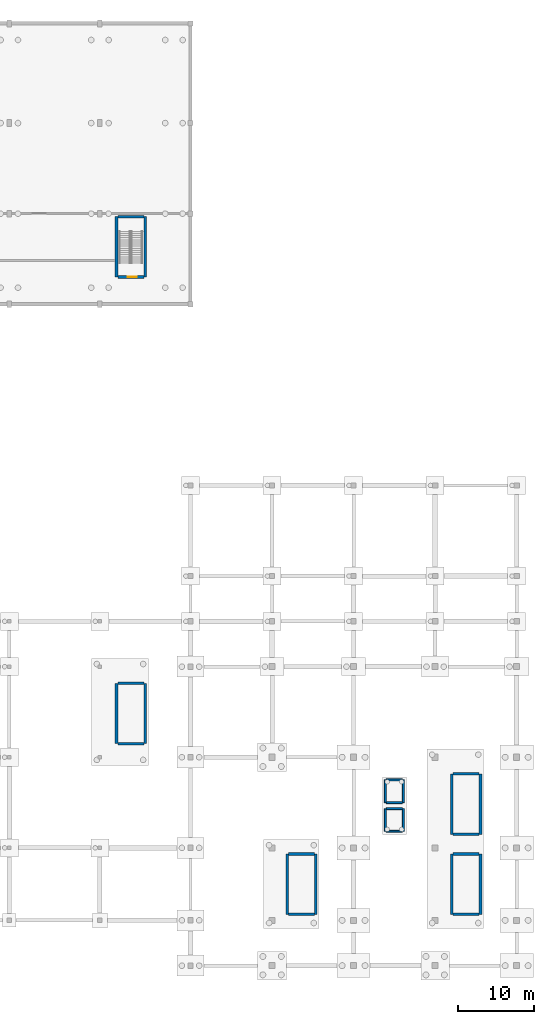
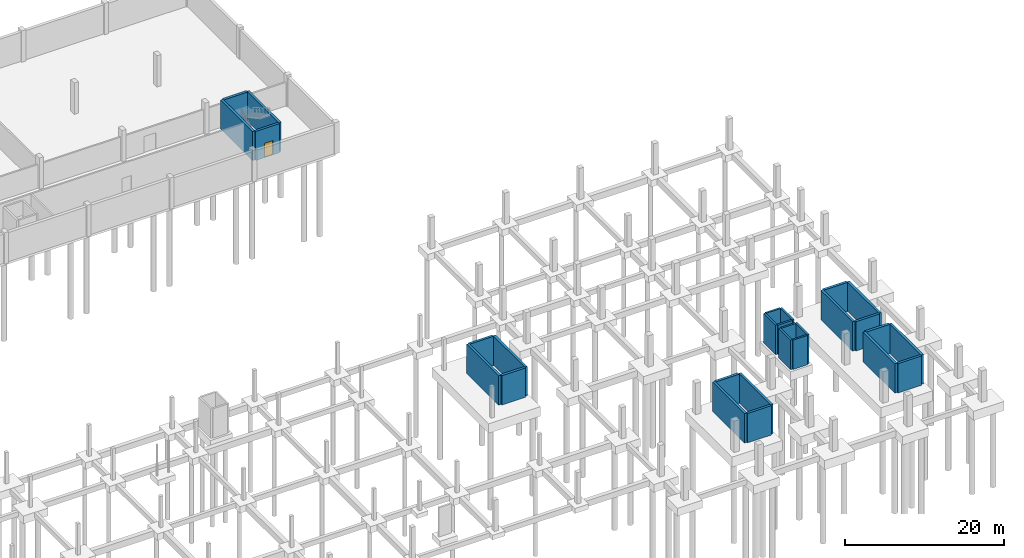
# One storey, part 27 of 31: 28 walls, 1 door, 1 opening.
"""IFC4 building model written with IfcOpenShell, lengths in metres."""

from ifc_helpers import new_model, si_unit, direction, frame, frame_2d, origin, place, context, subcontext, project, spatial, rectangle, extrude, material, layer, layer_set, type_object, element, fill, save


model = new_model("IFC4")

# Units and contexts
model_context = context("Model", 3, precision=1e-05, world=origin(), true_north=direction((0.0, 1.0)))
body_context = subcontext(model_context, "Body", "Model", "MODEL_VIEW")
ifc_project = project(units=[si_unit("LENGTHUNIT", "METRE"), si_unit("AREAUNIT", "SQUARE_METRE"), si_unit("VOLUMEUNIT", "CUBIC_METRE"), si_unit("PLANEANGLEUNIT", "RADIAN"), si_unit("MASSUNIT", "GRAM", prefix="KILO")], contexts=[model_context])

# Site, building, storey
site_placement = place(None, origin())
site = spatial("IfcSite", under=ifc_project, at=site_placement, CompositionType="ELEMENT")
building_placement = place(site_placement, origin())
building = spatial("IfcBuilding", under=site, at=building_placement, Name="Merenkruunu Market Hall", CompositionType="ELEMENT")
storey_placement = place(building_placement, frame((0.0, 0.0, -4.800048828125)))
storey = spatial("IfcBuildingStorey", under=building, at=storey_placement, Name="B1", CompositionType="ELEMENT", Elevation=-4.800048828125)

# Walls
ifc_material_1 = material(Name="Concrete C35/45", Category="concrete")
ifc_layer_1 = layer(ifc_material_1, 0.360107421875)
ifc_layer_set_1 = layer_set([ifc_layer_1], Name="Concrete C35/45")
wall_type_1 = type_object("IfcWallType", Name="Structural Shear Wall SW01", PredefinedType="SHEAR", material=ifc_layer_set_1)
wall_1_placement = place(storey_placement, frame((187.02001953125, 6.800048828125, 0.0), z_axis=(0.0, 0.0, 1.0), x_axis=(-1.0, 0.0, 0.0)))
element("IfcWall", 1, at=wall_1_placement, inside=storey, type_object=wall_type_1, Name="WALL-CORE-K5-B1-S", PredefinedType="SHEAR", context=body_context, shape_type="SweptSolid", body=[
    extrude(rectangle(XDim=3.43994140625, YDim=0.360107421875, at=frame_2d((1.719970703125, 0.0))), origin(), (0.0, 0.0, 1.0), 4.5),
])
wall_2_placement = place(storey_placement, frame((187.199951171875, 6.800048828125, 0.0), z_axis=(0.0, 0.0, 1.0), x_axis=(0.0, 1.0, 0.0)))
element("IfcWall", 2, at=wall_2_placement, inside=storey, type_object=wall_type_1, Name="WALL-CORE-K5-B1-E", PredefinedType="SHEAR", context=body_context, shape_type="SweptSolid", body=[
    extrude(rectangle(XDim=8.0, YDim=0.360107421875, at=frame_2d((4.0, 0.0))), origin(), (0.0, 0.0, 1.0), 4.5),
])
wall_3_placement = place(storey_placement, frame((187.02001953125, 14.800048828125, 0.0), z_axis=(0.0, 0.0, 1.0), x_axis=(-1.0, 0.0, 0.0)))
element("IfcWall", 3, at=wall_3_placement, inside=storey, type_object=wall_type_1, Name="WALL-CORE-K5-B1-N", PredefinedType="SHEAR", context=body_context, shape_type="SweptSolid", body=[
    extrude(rectangle(XDim=3.43994140625, YDim=0.360107421875, at=frame_2d((1.719970703125, 0.0))), origin(), (0.0, 0.0, 1.0), 4.5),
])
wall_4_placement = place(storey_placement, frame((183.39990234375, 14.800048828125, 0.0), z_axis=(0.0, 0.0, 1.0), x_axis=(0.0, -1.0, 0.0)))
element("IfcWall", 4, at=wall_4_placement, inside=storey, type_object=wall_type_1, Name="WALL-CORE-K5-B1-W", PredefinedType="SHEAR", context=body_context, shape_type="SweptSolid", body=[
    extrude(rectangle(XDim=8.0, YDim=0.360107421875, at=frame_2d((4.0, 0.0))), origin(), (0.0, 0.0, 1.0), 4.5),
])
wall_5_placement = place(storey_placement, frame((187.02001953125, 17.39990234375, 0.0), z_axis=(0.0, 0.0, 1.0), x_axis=(-1.0, 0.0, 0.0)))
element("IfcWall", 5, at=wall_5_placement, inside=storey, type_object=wall_type_1, Name="WALL-CORE-K6-B1-S", PredefinedType="SHEAR", context=body_context, shape_type="SweptSolid", body=[
    extrude(rectangle(XDim=3.43994140625, YDim=0.360107421875, at=frame_2d((1.719970703125, 0.0))), origin(), (0.0, 0.0, 1.0), 4.5),
])
wall_6_placement = place(storey_placement, frame((187.199951171875, 17.39990234375, 0.0), z_axis=(0.0, 0.0, 1.0), x_axis=(0.0, 1.0, 0.0)))
element("IfcWall", 6, at=wall_6_placement, inside=storey, type_object=wall_type_1, Name="WALL-CORE-K6-B1-E", PredefinedType="SHEAR", context=body_context, shape_type="SweptSolid", body=[
    extrude(rectangle(XDim=8.0, YDim=0.360107421875, at=frame_2d((4.0, 0.0))), origin(), (0.0, 0.0, 1.0), 4.5),
])
wall_7_placement = place(storey_placement, frame((187.02001953125, 25.39990234375, 0.0), z_axis=(0.0, 0.0, 1.0), x_axis=(-1.0, 0.0, 0.0)))
element("IfcWall", 7, at=wall_7_placement, inside=storey, type_object=wall_type_1, Name="WALL-CORE-K6-B1-N", PredefinedType="SHEAR", context=body_context, shape_type="SweptSolid", body=[
    extrude(rectangle(XDim=3.43994140625, YDim=0.360107421875, at=frame_2d((1.719970703125, 0.0))), origin(), (0.0, 0.0, 1.0), 4.5),
])
wall_8_placement = place(storey_placement, frame((183.39990234375, 25.39990234375, 0.0), z_axis=(0.0, 0.0, 1.0), x_axis=(0.0, -1.0, 0.0)))
element("IfcWall", 8, at=wall_8_placement, inside=storey, type_object=wall_type_1, Name="WALL-CORE-K6-B1-W", PredefinedType="SHEAR", context=body_context, shape_type="SweptSolid", body=[
    extrude(rectangle(XDim=8.0, YDim=0.360107421875, at=frame_2d((4.0, 0.0))), origin(), (0.0, 0.0, 1.0), 4.5),
])

# Wall, opening, door
wall_9_placement = place(storey_placement, frame((142.6201171875, 91.199951171875, 0.0), z_axis=(0.0, 0.0, 1.0), x_axis=(-1.0, 0.0, 0.0)))
wall_9 = element("IfcWall", 9, at=wall_9_placement, inside=storey, type_object=wall_type_1, Name="WALL-CORE-K7-B1-S", PredefinedType="SHEAR", context=body_context, shape_type="SweptSolid", body=[
    extrude(rectangle(XDim=3.440185546875, YDim=0.360107421875, at=frame_2d((1.72021484375, 0.0))), origin(), (0.0, 0.0, 1.0), 4.4599609375),
])
opening_placement = place(wall_9_placement, frame((0.949951171875, 0.0, 0.0)))
opening = element("IfcOpeningElement", 10, at=opening_placement, cuts=wall_9, Name="Opening FD03", PredefinedType="OPENING", context=body_context, shape_type="SweptSolid", body=[
    extrude(rectangle(XDim=1.199951171875, YDim=2.199951171875, at=frame_2d((0.60009765625, 1.10009765625))), frame((0.0, 0.18994140625, 0.0), z_axis=(0.0, -1.0, 0.0), x_axis=(1.0, 0.0, 0.0)), (0.0, 0.0, 1.0), 0.380126953125),
])
ifc_material_2 = material(Name="Powder-coated aluminium", Category="aluminium")
door_type = type_object("IfcDoorType", Name="Fire Compartment Door FD03", OperationType="NOTDEFINED", PredefinedType="DOOR", material=ifc_material_2)
door_placement = place(opening_placement, origin())
door = element("IfcDoor", 11, at=door_placement, inside=storey, type_object=door_type, Name="DR-B1-121", OperationType="SINGLE_SWING_LEFT", OverallHeight=2.199951171875, OverallWidth=1.199951171875, PredefinedType="DOOR", context=body_context, shape_type="SweptSolid", body=[
    extrude(rectangle(XDim=1.199951171875, YDim=2.199951171875, at=frame_2d((0.60009765625, 1.10009765625))), frame((0.0, 0.02490234375, 0.0), z_axis=(0.0, -1.0, 0.0), x_axis=(1.0, 0.0, 0.0)), (0.0, 0.0, 1.0), 0.050048828125),
])
fill(opening, door)

# Walls
wall_10_placement = place(storey_placement, frame((142.800048828125, 91.199951171875, 0.0), z_axis=(0.0, 0.0, 1.0), x_axis=(0.0, 1.0, 0.0)))
element("IfcWall", 12, at=wall_10_placement, inside=storey, type_object=wall_type_1, Name="WALL-CORE-K7-B1-E", PredefinedType="SHEAR", context=body_context, shape_type="SweptSolid", body=[
    extrude(rectangle(XDim=8.0, YDim=0.360107421875, at=frame_2d((4.0, 0.0))), origin(), (0.0, 0.0, 1.0), 4.4599609375),
])
wall_11_placement = place(storey_placement, frame((142.6201171875, 99.199951171875, 0.0), z_axis=(0.0, 0.0, 1.0), x_axis=(-1.0, 0.0, 0.0)))
element("IfcWall", 13, at=wall_11_placement, inside=storey, type_object=wall_type_1, Name="WALL-CORE-K7-B1-N", PredefinedType="SHEAR", context=body_context, shape_type="SweptSolid", body=[
    extrude(rectangle(XDim=3.440185546875, YDim=0.360107421875, at=frame_2d((1.72021484375, 0.0))), origin(), (0.0, 0.0, 1.0), 4.4599609375),
])
wall_12_placement = place(storey_placement, frame((139.0, 99.199951171875, 0.0), z_axis=(0.0, 0.0, 1.0), x_axis=(0.0, -1.0, 0.0)))
element("IfcWall", 14, at=wall_12_placement, inside=storey, type_object=wall_type_1, Name="WALL-CORE-K7-B1-W", PredefinedType="SHEAR", context=body_context, shape_type="SweptSolid", body=[
    extrude(rectangle(XDim=8.0, YDim=0.360107421875, at=frame_2d((4.0, 0.0))), origin(), (0.0, 0.0, 1.0), 4.4599609375),
])
wall_13_placement = place(storey_placement, frame((142.6201171875, 29.39990234375, 0.0), z_axis=(0.0, 0.0, 1.0), x_axis=(-1.0, 0.0, 0.0)))
element("IfcWall", 15, at=wall_13_placement, inside=storey, type_object=wall_type_1, Name="WALL-CORE-K8-B1-S", PredefinedType="SHEAR", context=body_context, shape_type="SweptSolid", body=[
    extrude(rectangle(XDim=3.440185546875, YDim=0.360107421875, at=frame_2d((1.72021484375, 0.0))), origin(), (0.0, 0.0, 1.0), 4.5),
])
wall_14_placement = place(storey_placement, frame((142.800048828125, 29.39990234375, 0.0), z_axis=(0.0, 0.0, 1.0), x_axis=(0.0, 1.0, 0.0)))
element("IfcWall", 16, at=wall_14_placement, inside=storey, type_object=wall_type_1, Name="WALL-CORE-K8-B1-E", PredefinedType="SHEAR", context=body_context, shape_type="SweptSolid", body=[
    extrude(rectangle(XDim=8.0, YDim=0.360107421875, at=frame_2d((4.0, 0.0))), origin(), (0.0, 0.0, 1.0), 4.5),
])
wall_15_placement = place(storey_placement, frame((142.6201171875, 37.39990234375, 0.0), z_axis=(0.0, 0.0, 1.0), x_axis=(-1.0, 0.0, 0.0)))
element("IfcWall", 17, at=wall_15_placement, inside=storey, type_object=wall_type_1, Name="WALL-CORE-K8-B1-N", PredefinedType="SHEAR", context=body_context, shape_type="SweptSolid", body=[
    extrude(rectangle(XDim=3.440185546875, YDim=0.360107421875, at=frame_2d((1.72021484375, 0.0))), origin(), (0.0, 0.0, 1.0), 4.5),
])
wall_16_placement = place(storey_placement, frame((139.0, 37.39990234375, 0.0), z_axis=(0.0, 0.0, 1.0), x_axis=(0.0, -1.0, 0.0)))
element("IfcWall", 18, at=wall_16_placement, inside=storey, type_object=wall_type_1, Name="WALL-CORE-K8-B1-W", PredefinedType="SHEAR", context=body_context, shape_type="SweptSolid", body=[
    extrude(rectangle(XDim=8.0, YDim=0.360107421875, at=frame_2d((4.0, 0.0))), origin(), (0.0, 0.0, 1.0), 4.5),
])
wall_17_placement = place(storey_placement, frame((165.219970703125, 6.800048828125, 0.0), z_axis=(0.0, 0.0, 1.0), x_axis=(-1.0, 0.0, 0.0)))
element("IfcWall", 19, at=wall_17_placement, inside=storey, type_object=wall_type_1, Name="WALL-CORE-K9-B1-S", PredefinedType="SHEAR", context=body_context, shape_type="SweptSolid", body=[
    extrude(rectangle(XDim=3.43994140625, YDim=0.360107421875, at=frame_2d((1.719970703125, 0.0))), origin(), (0.0, 0.0, 1.0), 4.5),
])
wall_18_placement = place(storey_placement, frame((165.39990234375, 6.800048828125, 0.0), z_axis=(0.0, 0.0, 1.0), x_axis=(0.0, 1.0, 0.0)))
element("IfcWall", 20, at=wall_18_placement, inside=storey, type_object=wall_type_1, Name="WALL-CORE-K9-B1-E", PredefinedType="SHEAR", context=body_context, shape_type="SweptSolid", body=[
    extrude(rectangle(XDim=8.0, YDim=0.360107421875, at=frame_2d((4.0, 0.0))), origin(), (0.0, 0.0, 1.0), 4.5),
])
wall_19_placement = place(storey_placement, frame((165.219970703125, 14.800048828125, 0.0), z_axis=(0.0, 0.0, 1.0), x_axis=(-1.0, 0.0, 0.0)))
element("IfcWall", 21, at=wall_19_placement, inside=storey, type_object=wall_type_1, Name="WALL-CORE-K9-B1-N", PredefinedType="SHEAR", context=body_context, shape_type="SweptSolid", body=[
    extrude(rectangle(XDim=3.43994140625, YDim=0.360107421875, at=frame_2d((1.719970703125, 0.0))), origin(), (0.0, 0.0, 1.0), 4.5),
])
wall_20_placement = place(storey_placement, frame((161.60009765625, 14.800048828125, 0.0), z_axis=(0.0, 0.0, 1.0), x_axis=(0.0, -1.0, 0.0)))
element("IfcWall", 22, at=wall_20_placement, inside=storey, type_object=wall_type_1, Name="WALL-CORE-K9-B1-W", PredefinedType="SHEAR", context=body_context, shape_type="SweptSolid", body=[
    extrude(rectangle(XDim=8.0, YDim=0.360107421875, at=frame_2d((4.0, 0.0))), origin(), (0.0, 0.0, 1.0), 4.5),
])
ifc_layer_2 = layer(ifc_material_1, 0.260009765625)
ifc_layer_set_2 = layer_set([ifc_layer_2], Name="Concrete C35/45")
wall_type_2 = type_object("IfcWallType", Name="Structural Shear Wall SW03", PredefinedType="SHEAR", material=ifc_layer_set_2)
wall_21_placement = place(storey_placement, frame((174.72998046875, 17.800048828125, 0.0), z_axis=(0.0, 0.0, 1.0), x_axis=(1.0, 0.0, 0.0)))
element("IfcWall", 23, at=wall_21_placement, inside=storey, type_object=wall_type_2, Name="WALL-LIFT-LP4-B1-S", PredefinedType="SHEAR", context=body_context, shape_type="SweptSolid", body=[
    extrude(rectangle(XDim=2.14013671875, YDim=0.260009765625, at=frame_2d((1.070068359375, 0.0))), origin(), (0.0, 0.0, 1.0), 4.5),
])
wall_22_placement = place(storey_placement, frame((177.0, 17.800048828125, 0.0), z_axis=(0.0, 0.0, 1.0), x_axis=(0.0, 1.0, 0.0)))
element("IfcWall", 24, at=wall_22_placement, inside=storey, type_object=wall_type_2, Name="WALL-LIFT-LP4-B1-E", PredefinedType="SHEAR", context=body_context, shape_type="SweptSolid", body=[
    extrude(rectangle(XDim=3.0, YDim=0.260009765625, at=frame_2d((1.5, 0.0))), origin(), (0.0, 0.0, 1.0), 4.5),
])
wall_23_placement = place(storey_placement, frame((176.8701171875, 20.800048828125, 0.0), z_axis=(0.0, 0.0, 1.0), x_axis=(-1.0, 0.0, 0.0)))
element("IfcWall", 25, at=wall_23_placement, inside=storey, type_object=wall_type_2, Name="WALL-LIFT-LP4-B1-N", PredefinedType="SHEAR", context=body_context, shape_type="SweptSolid", body=[
    extrude(rectangle(XDim=2.14013671875, YDim=0.260009765625, at=frame_2d((1.070068359375, 0.0))), origin(), (0.0, 0.0, 1.0), 4.5),
])
wall_24_placement = place(storey_placement, frame((174.60009765625, 20.800048828125, 0.0), z_axis=(0.0, 0.0, 1.0), x_axis=(0.0, -1.0, 0.0)))
element("IfcWall", 26, at=wall_24_placement, inside=storey, type_object=wall_type_2, Name="WALL-LIFT-LP4-B1-W", PredefinedType="SHEAR", context=body_context, shape_type="SweptSolid", body=[
    extrude(rectangle(XDim=3.0, YDim=0.260009765625, at=frame_2d((1.5, 0.0))), origin(), (0.0, 0.0, 1.0), 4.5),
])
wall_25_placement = place(storey_placement, frame((174.72998046875, 21.60009765625, 0.0), z_axis=(0.0, 0.0, 1.0), x_axis=(1.0, 0.0, 0.0)))
element("IfcWall", 27, at=wall_25_placement, inside=storey, type_object=wall_type_2, Name="WALL-LIFT-LP5-B1-S", PredefinedType="SHEAR", context=body_context, shape_type="SweptSolid", body=[
    extrude(rectangle(XDim=2.14013671875, YDim=0.260009765625, at=frame_2d((1.070068359375, 0.0))), origin(), (0.0, 0.0, 1.0), 4.5),
])
wall_26_placement = place(storey_placement, frame((177.0, 21.60009765625, 0.0), z_axis=(0.0, 0.0, 1.0), x_axis=(0.0, 1.0, 0.0)))
element("IfcWall", 28, at=wall_26_placement, inside=storey, type_object=wall_type_2, Name="WALL-LIFT-LP5-B1-E", PredefinedType="SHEAR", context=body_context, shape_type="SweptSolid", body=[
    extrude(rectangle(XDim=3.0, YDim=0.260009765625, at=frame_2d((1.5, 0.0))), origin(), (0.0, 0.0, 1.0), 4.5),
])
wall_27_placement = place(storey_placement, frame((176.8701171875, 24.60009765625, 0.0), z_axis=(0.0, 0.0, 1.0), x_axis=(-1.0, 0.0, 0.0)))
element("IfcWall", 29, at=wall_27_placement, inside=storey, type_object=wall_type_2, Name="WALL-LIFT-LP5-B1-N", PredefinedType="SHEAR", context=body_context, shape_type="SweptSolid", body=[
    extrude(rectangle(XDim=2.14013671875, YDim=0.260009765625, at=frame_2d((1.070068359375, 0.0))), origin(), (0.0, 0.0, 1.0), 4.5),
])
wall_28_placement = place(storey_placement, frame((174.60009765625, 24.60009765625, 0.0), z_axis=(0.0, 0.0, 1.0), x_axis=(0.0, -1.0, 0.0)))
element("IfcWall", 30, at=wall_28_placement, inside=storey, type_object=wall_type_2, Name="WALL-LIFT-LP5-B1-W", PredefinedType="SHEAR", context=body_context, shape_type="SweptSolid", body=[
    extrude(rectangle(XDim=3.0, YDim=0.260009765625, at=frame_2d((1.5, 0.0))), origin(), (0.0, 0.0, 1.0), 4.5),
])

save(model, "model.ifc")
